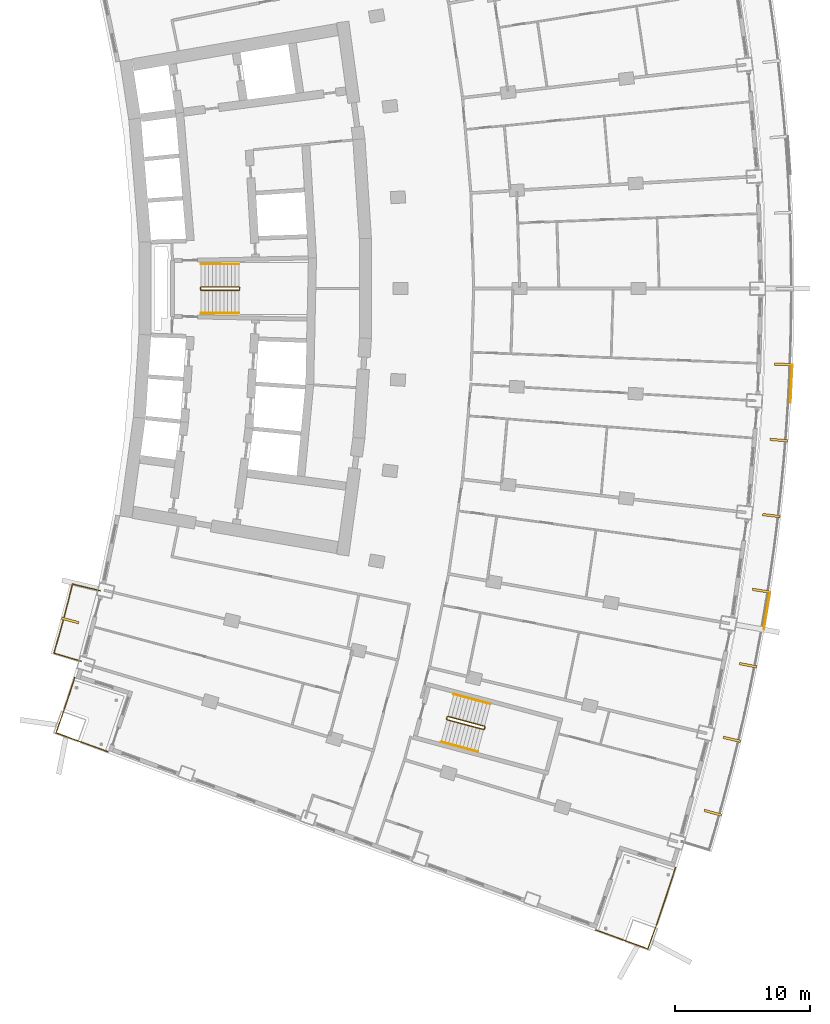
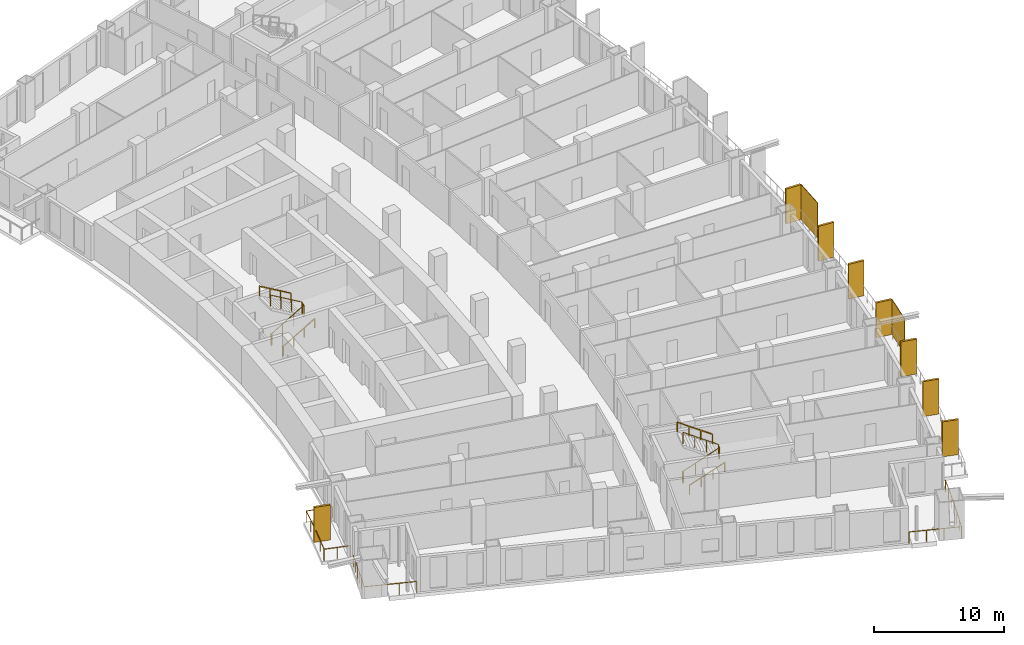
# One storey, part 21 of 23: 10 shading devices, 9 railings.
"""IFC4 building model written with IfcOpenShell, lengths in metres."""

from ifc_helpers import new_model, si_unit, direction, frame, origin, origin_with_axes, origin_2d, place, context, subcontext, project, spatial, rectangle, extrude, material, layer, layer_set, type_object, element, save


model = new_model("IFC4")

# Units and contexts
model_context = context("Model", 3, precision=1e-05, world=origin(), true_north=direction((0.0, 1.0)))
body_context = subcontext(model_context, "Body", "Model", "MODEL_VIEW")
ifc_project = project(units=[si_unit("LENGTHUNIT", "METRE"), si_unit("AREAUNIT", "SQUARE_METRE"), si_unit("VOLUMEUNIT", "CUBIC_METRE"), si_unit("PLANEANGLEUNIT", "RADIAN"), si_unit("MASSUNIT", "GRAM", prefix="KILO")], contexts=[model_context])

# Site, building, storey
site_placement = place(None, origin())
site = spatial("IfcSite", under=ifc_project, at=site_placement, CompositionType="ELEMENT")
building_placement = place(site_placement, origin())
building = spatial("IfcBuilding", under=site, at=building_placement, Name="Alderwake Tower", CompositionType="ELEMENT")
storey_placement = place(building_placement, frame((0.0, 0.0, 71.60009765625)))
storey = spatial("IfcBuildingStorey", under=building, at=storey_placement, Name="L17", CompositionType="ELEMENT", Elevation=71.60009765625)

# Railings
ifc_material_1 = material(Name="Stainless steel 316 rail and posts", Category="steel")
railing_type_1 = type_object("IfcRailingType", Name="Balcony guard 1100", PredefinedType="GUARDRAIL", material=ifc_material_1)
railing_1_placement = place(storey_placement, frame((12.16650390625, 33.435791015625, 0.0)))
element("IfcRailing", 1, at=railing_1_placement, inside=storey, type_object=railing_type_1, Name="Guard BR02", PredefinedType="GUARDRAIL", context=body_context, shape_type="SweptSolid", body=[
    extrude(rectangle(XDim=0.048095703125, YDim=0.048095703125, at=origin_2d()), frame((0.0, 0.0, 1.076171875), z_axis=(-0.958091458885, 0.286462486918, 0.0), x_axis=(-0.286462486918, -0.958091458885, 0.0)), (0.0, 0.0, 1.0), 2.099853515625),
    extrude(rectangle(XDim=0.048095703125, YDim=0.048095703125, at=origin_2d()), frame((-2.011962890625, 0.6015625, 1.076171875), z_axis=(0.279963157487, 0.960010744966, 0.0), x_axis=(-0.960010744966, 0.279963157487, 0.0)), (0.0, 0.0, 1.0), 1.272216796875),
    extrude(rectangle(XDim=0.048095703125, YDim=0.048095703125, at=origin_2d()), frame((-1.65576171875, 1.822998046875, 1.076171875), z_axis=(0.266487604617, 0.963838345671, 0.0), x_axis=(-0.963838345671, 0.266487604617, 0.0)), (0.0, 0.0, 1.0), 1.372314453125),
    extrude(rectangle(XDim=0.048095703125, YDim=0.048095703125, at=origin_2d()), frame((-1.2900390625, 3.145751953125, 1.076171875), z_axis=(0.252487086228, 0.967600264204, 0.0), x_axis=(-0.967600264204, 0.252487086228, 0.0)), (0.0, 0.0, 1.0), 1.3720703125),
    extrude(rectangle(XDim=0.048095703125, YDim=0.048095703125, at=origin_2d()), frame((-0.943603515625, 4.473388671875, 1.076171875), z_axis=(0.238877101641, 0.971049808358, 0.0), x_axis=(-0.971049808358, 0.238877101641, 0.0)), (0.0, 0.0, 1.0), 1.2724609375),
    extrude(rectangle(XDim=0.048095703125, YDim=0.048095703125, at=origin_2d()), frame((-0.6396484375, 5.708984375, 1.076171875), z_axis=(0.972646310656, -0.232291098337, 0.0), x_axis=(0.232291098337, 0.972646310656, 0.0)), (0.0, 0.0, 1.0), 2.099853515625),
    extrude(rectangle(XDim=0.0419921875, YDim=0.0419921875, at=origin_2d()), frame((0.0, 0.0, 0.0), z_axis=(0.0, 0.0, 1.0), x_axis=(-0.958091458885, 0.286462486918, 0.0)), (0.0, 0.0, 1.0), 1.052001953125),
    extrude(rectangle(XDim=0.0419921875, YDim=0.0419921875, at=origin_2d()), frame((-1.005859375, 0.30078125, 0.0), z_axis=(0.0, 0.0, 1.0), x_axis=(-0.958091458885, 0.286462486918, 0.0)), (0.0, 0.0, 1.0), 1.052001953125),
    extrude(rectangle(XDim=0.0419921875, YDim=0.0419921875, at=origin_2d()), frame((-2.011962890625, 0.6015625, 0.0), z_axis=(0.0, 0.0, 1.0), x_axis=(0.279963157487, 0.960010744966, 0.0)), (0.0, 0.0, 1.0), 1.052001953125),
    extrude(rectangle(XDim=0.0419921875, YDim=0.0419921875, at=origin_2d()), frame((-1.65576171875, 1.822998046875, 0.0), z_axis=(0.0, 0.0, 1.0), x_axis=(0.266487604617, 0.963838345671, 0.0)), (0.0, 0.0, 1.0), 1.052001953125),
    extrude(rectangle(XDim=0.0419921875, YDim=0.0419921875, at=origin_2d()), frame((-1.2900390625, 3.145751953125, 0.0), z_axis=(0.0, 0.0, 1.0), x_axis=(0.252487086228, 0.967600264204, 0.0)), (0.0, 0.0, 1.0), 1.052001953125),
    extrude(rectangle(XDim=0.0419921875, YDim=0.0419921875, at=origin_2d()), frame((-0.943603515625, 4.473388671875, 0.0), z_axis=(0.0, 0.0, 1.0), x_axis=(0.238877101641, 0.971049808358, 0.0)), (0.0, 0.0, 1.0), 1.052001953125),
    extrude(rectangle(XDim=0.0419921875, YDim=0.0419921875, at=origin_2d()), frame((-0.6396484375, 5.708984375, 0.0), z_axis=(0.0, 0.0, 1.0), x_axis=(0.972646310656, -0.232291098337, 0.0)), (0.0, 0.0, 1.0), 1.052001953125),
    extrude(rectangle(XDim=0.0419921875, YDim=0.0419921875, at=origin_2d()), frame((0.381591796875, 5.465087890625, 0.0), z_axis=(0.0, 0.0, 1.0), x_axis=(0.972646310656, -0.232291098337, 0.0)), (0.0, 0.0, 1.0), 1.052001953125),
    extrude(rectangle(XDim=0.0419921875, YDim=0.0419921875, at=origin_2d()), frame((1.40283203125, 5.22119140625, 0.0), z_axis=(0.0, 0.0, 1.0), x_axis=(0.972646310656, -0.232291098337, 0.0)), (0.0, 0.0, 1.0), 1.052001953125),
])
railing_2_placement = place(storey_placement, frame((56.12060546875, 18.168701171875, 0.0)))
element("IfcRailing", 2, at=railing_2_placement, inside=storey, type_object=railing_type_1, Name="Guard terrace FS", PredefinedType="GUARDRAIL", context=body_context, shape_type="SweptSolid", body=[
    extrude(rectangle(XDim=0.048095703125, YDim=0.048095703125, at=origin_2d()), frame((0.0, 0.0, 1.076171875), z_axis=(-0.307834534449, -0.951439908455, 0.0), x_axis=(0.951439908455, -0.307834534449, 0.0)), (0.0, 0.0, 1.0), 2.281005859375),
    extrude(rectangle(XDim=0.048095703125, YDim=0.048095703125, at=origin_2d()), frame((-0.7021484375, -2.170166015625, 1.076171875), z_axis=(-0.322274982341, -0.946646098475, 0.0), x_axis=(0.946646098475, -0.322274982341, 0.0)), (0.0, 0.0, 1.0), 2.0810546875),
    extrude(rectangle(XDim=0.048095703125, YDim=0.048095703125, at=origin_2d()), frame((-1.372802734375, -4.14013671875, 1.076171875), z_axis=(-0.335680571726, -0.941975877486, 0.0), x_axis=(0.941975877486, -0.335680571726, 0.0)), (0.0, 0.0, 1.0), 1.981201171875),
    extrude(rectangle(XDim=0.048095703125, YDim=0.048095703125, at=origin_2d()), frame((-2.037841796875, -6.00634765625, 1.076171875), z_axis=(-0.939605522223, 0.34225934992, 0.0), x_axis=(-0.34225934992, -0.939605522223, 0.0)), (0.0, 0.0, 1.0), 4.10009765625),
    extrude(rectangle(XDim=0.0419921875, YDim=0.0419921875, at=origin_2d()), frame((0.0, 0.0, 0.0), z_axis=(0.0, 0.0, 1.0), x_axis=(-0.307834534449, -0.951439908455, 0.0)), (0.0, 0.0, 1.0), 1.052001953125),
    extrude(rectangle(XDim=0.0419921875, YDim=0.0419921875, at=origin_2d()), frame((-0.35107421875, -1.0849609375, 0.0), z_axis=(0.0, 0.0, 1.0), x_axis=(-0.307834534449, -0.951439908455, 0.0)), (0.0, 0.0, 1.0), 1.052001953125),
    extrude(rectangle(XDim=0.0419921875, YDim=0.0419921875, at=origin_2d()), frame((-0.7021484375, -2.170166015625, 0.0), z_axis=(0.0, 0.0, 1.0), x_axis=(-0.322274982341, -0.946646098475, 0.0)), (0.0, 0.0, 1.0), 1.052001953125),
    extrude(rectangle(XDim=0.0419921875, YDim=0.0419921875, at=origin_2d()), frame((-1.03759765625, -3.1552734375, 0.0), z_axis=(0.0, 0.0, 1.0), x_axis=(-0.322274982341, -0.946646098475, 0.0)), (0.0, 0.0, 1.0), 1.052001953125),
    extrude(rectangle(XDim=0.0419921875, YDim=0.0419921875, at=origin_2d()), frame((-1.372802734375, -4.14013671875, 0.0), z_axis=(0.0, 0.0, 1.0), x_axis=(-0.335680571726, -0.941975877486, 0.0)), (0.0, 0.0, 1.0), 1.052001953125),
    extrude(rectangle(XDim=0.0419921875, YDim=0.0419921875, at=origin_2d()), frame((-1.705322265625, -5.0732421875, 0.0), z_axis=(0.0, 0.0, 1.0), x_axis=(-0.335680571726, -0.941975877486, 0.0)), (0.0, 0.0, 1.0), 1.052001953125),
    extrude(rectangle(XDim=0.0419921875, YDim=0.0419921875, at=origin_2d()), frame((-2.037841796875, -6.00634765625, 0.0), z_axis=(0.0, 0.0, 1.0), x_axis=(-0.939605522223, 0.34225934992, 0.0)), (0.0, 0.0, 1.0), 1.052001953125),
    extrude(rectangle(XDim=0.0419921875, YDim=0.0419921875, at=origin_2d()), frame((-3.322021484375, -5.53857421875, 0.0), z_axis=(0.0, 0.0, 1.0), x_axis=(-0.939605522223, 0.34225934992, 0.0)), (0.0, 0.0, 1.0), 1.052001953125),
    extrude(rectangle(XDim=0.0419921875, YDim=0.0419921875, at=origin_2d()), frame((-4.606201171875, -5.07080078125, 0.0), z_axis=(0.0, 0.0, 1.0), x_axis=(-0.939605522223, 0.34225934992, 0.0)), (0.0, 0.0, 1.0), 1.052001953125),
    extrude(rectangle(XDim=0.0419921875, YDim=0.0419921875, at=origin_2d()), frame((-5.890380859375, -4.60302734375, 0.0), z_axis=(0.0, 0.0, 1.0), x_axis=(-0.939605522223, 0.34225934992, 0.0)), (0.0, 0.0, 1.0), 1.052001953125),
])
railing_3_placement = place(storey_placement, frame((11.688720703125, 32.218017578125, 0.0)))
element("IfcRailing", 3, at=railing_3_placement, inside=storey, type_object=railing_type_1, Name="Guard terrace RS", PredefinedType="GUARDRAIL", context=body_context, shape_type="SweptSolid", body=[
    extrude(rectangle(XDim=0.048095703125, YDim=0.048095703125, at=origin_2d()), frame((0.0, 0.0, 1.076171875), z_axis=(-0.307479326145, -0.951554761426, 0.0), x_axis=(0.951554761426, -0.307479326145, 0.0)), (0.0, 0.0, 1.0), 1.6015625),
    extrude(rectangle(XDim=0.048095703125, YDim=0.048095703125, at=origin_2d()), frame((-0.492431640625, -1.52392578125, 1.076171875), z_axis=(-0.322283727344, -0.946643121292, 0.0), x_axis=(0.946643121292, -0.322283727344, 0.0)), (0.0, 0.0, 1.0), 1.4013671875),
    extrude(rectangle(XDim=0.048095703125, YDim=0.048095703125, at=origin_2d()), frame((-0.944091796875, -2.8505859375, 1.076171875), z_axis=(-0.335468607403, -0.942051385778, 0.0), x_axis=(0.942051385778, -0.335468607403, 0.0)), (0.0, 0.0, 1.0), 1.30126953125),
    extrude(rectangle(XDim=0.048095703125, YDim=0.048095703125, at=origin_2d()), frame((-1.380615234375, -4.076416015625, 1.076171875), z_axis=(0.939708203232, -0.341977327873, 0.0), x_axis=(0.341977327873, 0.939708203232, 0.0)), (0.0, 0.0, 1.0), 4.10009765625),
    extrude(rectangle(XDim=0.0419921875, YDim=0.0419921875, at=origin_2d()), frame((0.0, 0.0, 0.0), z_axis=(0.0, 0.0, 1.0), x_axis=(-0.307479326145, -0.951554761426, 0.0)), (0.0, 0.0, 1.0), 1.052001953125),
    extrude(rectangle(XDim=0.0419921875, YDim=0.0419921875, at=origin_2d()), frame((-0.24609375, -0.761962890625, 0.0), z_axis=(0.0, 0.0, 1.0), x_axis=(-0.307479326145, -0.951554761426, 0.0)), (0.0, 0.0, 1.0), 1.052001953125),
    extrude(rectangle(XDim=0.0419921875, YDim=0.0419921875, at=origin_2d()), frame((-0.492431640625, -1.52392578125, 0.0), z_axis=(0.0, 0.0, 1.0), x_axis=(-0.322283727344, -0.946643121292, 0.0)), (0.0, 0.0, 1.0), 1.052001953125),
    extrude(rectangle(XDim=0.0419921875, YDim=0.0419921875, at=origin_2d()), frame((-0.71826171875, -2.187255859375, 0.0), z_axis=(0.0, 0.0, 1.0), x_axis=(-0.322283727344, -0.946643121292, 0.0)), (0.0, 0.0, 1.0), 1.052001953125),
    extrude(rectangle(XDim=0.0419921875, YDim=0.0419921875, at=origin_2d()), frame((-0.944091796875, -2.8505859375, 0.0), z_axis=(0.0, 0.0, 1.0), x_axis=(-0.335468607403, -0.942051385778, 0.0)), (0.0, 0.0, 1.0), 1.052001953125),
    extrude(rectangle(XDim=0.0419921875, YDim=0.0419921875, at=origin_2d()), frame((-1.380615234375, -4.076416015625, 0.0), z_axis=(0.0, 0.0, 1.0), x_axis=(0.939708203232, -0.341977327873, 0.0)), (0.0, 0.0, 1.0), 1.052001953125),
    extrude(rectangle(XDim=0.0419921875, YDim=0.0419921875, at=origin_2d()), frame((-0.096435546875, -4.543701171875, 0.0), z_axis=(0.0, 0.0, 1.0), x_axis=(0.939708203232, -0.341977327873, 0.0)), (0.0, 0.0, 1.0), 1.052001953125),
    extrude(rectangle(XDim=0.0419921875, YDim=0.0419921875, at=origin_2d()), frame((1.18798828125, -5.01123046875, 0.0), z_axis=(0.0, 0.0, 1.0), x_axis=(0.939708203232, -0.341977327873, 0.0)), (0.0, 0.0, 1.0), 1.052001953125),
    extrude(rectangle(XDim=0.0419921875, YDim=0.0419921875, at=origin_2d()), frame((2.47216796875, -5.478515625, 0.0), z_axis=(0.0, 0.0, 1.0), x_axis=(0.939708203232, -0.341977327873, 0.0)), (0.0, 0.0, 1.0), 1.052001953125),
])

# Shading devices
ifc_material_2 = material(Name="Bronze anodised aluminium", Category="aluminium")
ifc_layer_1 = layer(ifc_material_2, 0.179931640625)
ifc_layer_set_1 = layer_set([ifc_layer_1], Name="Facade fin 1300")
shading_device_type_1 = type_object("IfcShadingDeviceType", Name="Facade fin 1300", PredefinedType="USERDEFINED", material=ifc_layer_set_1)
for number, where, z_axis, x_axis, name in (
    (4, (58.890869140625, 22.231689453125, 0.0), (0.0, 0.0, 1.0), (0.96318180783, -0.268850897459, 0.0), "Fin"),
    (5, (60.29345703125, 27.66259765625, 0.0), (0.0, 0.0, 1.0), (0.972908790564, -0.231189284448, 0.0), "Fin"),
    (6, (61.48388671875, 33.143798828125, 0.0), (0.0, 0.0, 1.0), (0.981163751315, -0.193177879441, 0.0), "Fin"),
    (7, (62.4580078125, 38.65283203125, 0.0), (0.0, 0.0, 1.0), (0.987918787879, -0.154972476771, 0.0), "Fin"),
    (8, (63.21923828125, 44.2099609375, 0.0), (0.0, 0.0, 1.0), (0.993198315083, -0.116434990084, 0.0), "Fin"),
    (9, (63.763916015625, 49.79248046875, 0.0), (0.0, 0.0, 1.0), (0.996975122026, -0.077721335943, 0.0), "Fin"),
    (10, (64.0908203125, 55.39208984375, 0.0), (0.0, 0.0, 1.0), (0.999243494356, -0.038890088543, 0.0), "Fin"),
    (11, (11.359375, 36.45166015625, 0.0), (0.0, 0.0, 1.0), (0.965744448231, -0.259495010957, 0.0), "Fin"),
):
    element("IfcShadingDevice", number, at=place(storey_placement, frame(where, z_axis=z_axis, x_axis=x_axis)), inside=storey, type_object=shading_device_type_1, Name=name, ObjectType="FIN", PredefinedType="USERDEFINED", context=body_context, shape_type="SweptSolid", body=[
        extrude(rectangle(XDim=1.300048828125, YDim=0.179931640625, at=origin_2d()), origin(), (0.0, 0.0, 1.0), 3.280029296875),
    ])
ifc_material_3 = material(Name="Perforated bronze anodised aluminium", Category="aluminium")
ifc_layer_2 = layer(ifc_material_3, 0.050048828125)
ifc_layer_set_2 = layer_set([ifc_layer_2], Name="Perforated screen panel")
shading_device_type_2 = type_object("IfcShadingDeviceType", Name="Perforated screen panel", PredefinedType="USERDEFINED", material=ifc_layer_set_2)
for number, where, z_axis, x_axis, name in (
    (12, (62.8935546875, 37.162109375, 0.0), (0.0, 0.0, 1.0), (0.986369013299, -0.164548380739, 0.0), "Screen panel"),
    (13, (64.697021484375, 53.962158203125, 0.0), (0.0, 0.0, 1.0), (0.998819231138, -0.048581308217, 0.0), "Screen panel"),
):
    element("IfcShadingDevice", number, at=place(storey_placement, frame(where, z_axis=z_axis, x_axis=x_axis)), inside=storey, type_object=shading_device_type_2, Name=name, ObjectType="SCREEN", PredefinedType="USERDEFINED", context=body_context, shape_type="SweptSolid", body=[
        extrude(rectangle(XDim=0.050048828125, YDim=2.810546875, at=origin_2d()), origin(), (0.0, 0.0, 1.0), 3.280029296875),
    ])

# Railings
ifc_material_4 = material(Name="Stainless steel guard", Category="steel")
railing_type_2 = type_object("IfcRailingType", Name="Stair guard 1100", PredefinedType="GUARDRAIL", material=ifc_material_4)
railing_4_placement = place(storey_placement, frame((20.989990234375, 60.925048828125, 0.0)))
element("IfcRailing", 14, at=railing_4_placement, inside=storey, type_object=railing_type_2, Name="L17 ST-B stair guard 1", PredefinedType="GUARDRAIL", context=body_context, shape_type="SweptSolid", body=[
    extrude(rectangle(XDim=0.048095703125, YDim=0.048095703125, at=origin_2d()), frame((0.0, 0.0, 1.076171875), z_axis=(0.0, 1.0, 0.0), x_axis=(-1.0, 0.0, 0.0)), (0.0, 0.0, 1.0), 0.14990234375),
    extrude(rectangle(XDim=0.048095703125, YDim=0.048095703125, at=origin_2d()), frame((0.0, 0.14990234375, 1.076171875), z_axis=(0.190199549216, -0.759870394187, 0.621627795), x_axis=(0.970072785993, 0.242814311512, 0.0)), (0.0, 0.0, 1.0), 0.26318359375),
    extrude(rectangle(XDim=0.048095703125, YDim=0.048095703125, at=origin_2d()), frame((0.050048828125, -0.050048828125, 1.23974609375), z_axis=(0.863393664356, 0.0, 0.504530851732), x_axis=(0.0, 1.0, 0.0)), (0.0, 0.0, 1.0), 3.2431640625),
    extrude(rectangle(XDim=0.048095703125, YDim=0.048095703125, at=origin_2d()), frame((2.85009765625, -0.050048828125, 2.8759765625), z_axis=(0.705375805398, 0.708833529934, 0.0), x_axis=(-0.708833529934, 0.705375805398, 0.0)), (0.0, 0.0, 1.0), 0.070556640625),
    extrude(rectangle(XDim=0.048095703125, YDim=0.048095703125, at=origin_2d()), frame((2.89990234375, 0.0, 2.8759765625), z_axis=(0.0, 1.0, 0.0), x_axis=(-1.0, 0.0, 0.0)), (0.0, 0.0, 1.0), 0.14990234375),
    extrude(rectangle(XDim=0.048095703125, YDim=0.048095703125, at=origin_2d()), frame((2.89990234375, 0.14990234375, 2.8759765625), z_axis=(-0.279194930351, 0.280563532951, 0.91833234444), x_axis=(-0.708833529934, -0.705375805398, 0.0)), (0.0, 0.0, 1.0), 0.178466796875),
    extrude(rectangle(XDim=0.048095703125, YDim=0.048095703125, at=origin_2d()), frame((2.85009765625, 0.199951171875, 3.03955078125), z_axis=(-0.863393664356, 0.0, 0.504530851732), x_axis=(0.0, -1.0, 0.0)), (0.0, 0.0, 1.0), 3.2431640625),
    extrude(rectangle(XDim=0.0419921875, YDim=0.0419921875, at=origin_2d()), frame((0.0, 0.0, 0.0), z_axis=(0.0, 0.0, 1.0), x_axis=(0.0, 1.0, 0.0)), (0.0, 0.0, 1.0), 1.052001953125),
    extrude(rectangle(XDim=0.0419921875, YDim=0.0419921875, at=origin_2d()), frame((0.0, 0.14990234375, 0.0), z_axis=(0.0, 0.0, 1.0), x_axis=(0.242814311512, -0.970072785993, 0.0)), (0.0, 0.0, 1.0), 1.052001953125),
    extrude(rectangle(XDim=0.0419921875, YDim=0.0419921875, at=origin_2d()), frame((0.050048828125, -0.050048828125, 0.16357421875), z_axis=(0.0, 0.0, 1.0), x_axis=(1.0, 0.0, 0.0)), (0.0, 0.0, 1.0), 1.052001953125),
    extrude(rectangle(XDim=0.0419921875, YDim=0.0419921875, at=origin_2d()), frame((0.9833984375, -0.050048828125, 0.708984375), z_axis=(0.0, 0.0, 1.0), x_axis=(1.0, 0.0, 0.0)), (0.0, 0.0, 1.0), 1.052001953125),
    extrude(rectangle(XDim=0.0419921875, YDim=0.0419921875, at=origin_2d()), frame((1.916748046875, -0.050048828125, 1.25439453125), z_axis=(0.0, 0.0, 1.0), x_axis=(1.0, 0.0, 0.0)), (0.0, 0.0, 1.0), 1.052001953125),
    extrude(rectangle(XDim=0.0419921875, YDim=0.0419921875, at=origin_2d()), frame((2.85009765625, -0.050048828125, 1.7998046875), z_axis=(0.0, 0.0, 1.0), x_axis=(0.705375805398, 0.708833529934, 0.0)), (0.0, 0.0, 1.0), 1.052001953125),
    extrude(rectangle(XDim=0.0419921875, YDim=0.0419921875, at=origin_2d()), frame((2.89990234375, 0.0, 1.7998046875), z_axis=(0.0, 0.0, 1.0), x_axis=(0.0, 1.0, 0.0)), (0.0, 0.0, 1.0), 1.052001953125),
    extrude(rectangle(XDim=0.0419921875, YDim=0.0419921875, at=origin_2d()), frame((2.89990234375, 0.14990234375, 1.7998046875), z_axis=(0.0, 0.0, 1.0), x_axis=(-0.705375805398, 0.708833529934, 0.0)), (0.0, 0.0, 1.0), 1.052001953125),
    extrude(rectangle(XDim=0.0419921875, YDim=0.0419921875, at=origin_2d()), frame((2.85009765625, 0.199951171875, 1.963623046875), z_axis=(0.0, 0.0, 1.0), x_axis=(-1.0, 0.0, 0.0)), (0.0, 0.0, 1.0), 1.052001953125),
    extrude(rectangle(XDim=0.0419921875, YDim=0.0419921875, at=origin_2d()), frame((1.916748046875, 0.199951171875, 2.509033203125), z_axis=(0.0, 0.0, 1.0), x_axis=(-1.0, 0.0, 0.0)), (0.0, 0.0, 1.0), 1.052001953125),
    extrude(rectangle(XDim=0.0419921875, YDim=0.0419921875, at=origin_2d()), frame((0.9833984375, 0.199951171875, 3.054443359375), z_axis=(0.0, 0.0, 1.0), x_axis=(-1.0, 0.0, 0.0)), (0.0, 0.0, 1.0), 1.052001953125),
    extrude(rectangle(XDim=0.0419921875, YDim=0.0419921875, at=origin_2d()), frame((0.050048828125, 0.199951171875, 3.599853515625), z_axis=(0.0, 0.0, 1.0), x_axis=(-1.0, 0.0, 0.0)), (0.0, 0.0, 1.0), 1.052001953125),
])
railing_5_placement = place(storey_placement, frame((39.1943359375, 29.17431640625, 0.0)))
element("IfcRailing", 15, at=railing_5_placement, inside=storey, type_object=railing_type_2, Name="L17 ST-C stair guard 1", PredefinedType="GUARDRAIL", context=body_context, shape_type="SweptSolid", body=[
    extrude(rectangle(XDim=0.048095703125, YDim=0.048095703125, at=origin_2d()), frame((0.0, 0.0, 1.076171875), z_axis=(0.257459803502, 0.966289009345, 0.0), x_axis=(-0.966289009345, 0.257459803502, 0.0)), (0.0, 0.0, 1.0), 0.14990234375),
    extrude(rectangle(XDim=0.048095703125, YDim=0.048095703125, at=origin_2d()), frame((0.03857421875, 0.144775390625, 1.076171875), z_axis=(-0.012062893862, -0.783160186125, 0.621702991355), x_axis=(0.999881397308, -0.015401016783, 0.0)), (0.0, 0.0, 1.0), 0.26318359375),
    extrude(rectangle(XDim=0.048095703125, YDim=0.048095703125, at=origin_2d()), frame((0.035400390625, -0.061279296875, 1.23974609375), z_axis=(0.834313512087, -0.222222637163, 0.504517653885), x_axis=(0.257380452725, 0.966310148221, 0.0)), (0.0, 0.0, 1.0), 3.2431640625),
    extrude(rectangle(XDim=0.048095703125, YDim=0.048095703125, at=origin_2d()), frame((2.7412109375, -0.781982421875, 2.8759765625), z_axis=(0.865031189262, 0.501718089772, 0.0), x_axis=(-0.501718089772, 0.865031189262, 0.0)), (0.0, 0.0, 1.0), 0.070556640625),
    extrude(rectangle(XDim=0.048095703125, YDim=0.048095703125, at=origin_2d()), frame((2.80224609375, -0.74658203125, 2.8759765625), z_axis=(0.257055032184, 0.966396766566, 0.0), x_axis=(-0.966396766566, 0.257055032184, 0.0)), (0.0, 0.0, 1.0), 0.150146484375),
    extrude(rectangle(XDim=0.048095703125, YDim=0.048095703125, at=origin_2d()), frame((2.8408203125, -0.6015625, 2.8759765625), z_axis=(-0.198375862152, 0.343395457933, 0.918001403477), x_axis=(-0.865898279276, -0.500220121494, 0.0)), (0.0, 0.0, 1.0), 0.178466796875),
    extrude(rectangle(XDim=0.048095703125, YDim=0.048095703125, at=origin_2d()), frame((2.805419921875, -0.540283203125, 3.03955078125), z_axis=(-0.834290631165, 0.222236594766, 0.504549342183), x_axis=(-0.257402139082, -0.966304371715, 0.0)), (0.0, 0.0, 1.0), 3.242919921875),
    extrude(rectangle(XDim=0.0419921875, YDim=0.0419921875, at=origin_2d()), frame((0.0, 0.0, 0.0), z_axis=(0.0, 0.0, 1.0), x_axis=(0.257459803502, 0.966289009345, 0.0)), (0.0, 0.0, 1.0), 1.052001953125),
    extrude(rectangle(XDim=0.0419921875, YDim=0.0419921875, at=origin_2d()), frame((0.03857421875, 0.144775390625, 0.0), z_axis=(0.0, 0.0, 1.0), x_axis=(-0.015401016783, -0.999881397308, 0.0)), (0.0, 0.0, 1.0), 1.052001953125),
    extrude(rectangle(XDim=0.0419921875, YDim=0.0419921875, at=origin_2d()), frame((0.035400390625, -0.061279296875, 0.16357421875), z_axis=(0.0, 0.0, 1.0), x_axis=(0.966310148221, -0.257380452725, 0.0)), (0.0, 0.0, 1.0), 1.052001953125),
    extrude(rectangle(XDim=0.0419921875, YDim=0.0419921875, at=origin_2d()), frame((0.937255859375, -0.301513671875, 0.708984375), z_axis=(0.0, 0.0, 1.0), x_axis=(0.966310148221, -0.257380452725, 0.0)), (0.0, 0.0, 1.0), 1.052001953125),
    extrude(rectangle(XDim=0.0419921875, YDim=0.0419921875, at=origin_2d()), frame((1.83935546875, -0.541748046875, 1.25439453125), z_axis=(0.0, 0.0, 1.0), x_axis=(0.966310148221, -0.257380452725, 0.0)), (0.0, 0.0, 1.0), 1.052001953125),
    extrude(rectangle(XDim=0.0419921875, YDim=0.0419921875, at=origin_2d()), frame((2.7412109375, -0.781982421875, 1.7998046875), z_axis=(0.0, 0.0, 1.0), x_axis=(0.865031189262, 0.501718089772, 0.0)), (0.0, 0.0, 1.0), 1.052001953125),
    extrude(rectangle(XDim=0.0419921875, YDim=0.0419921875, at=origin_2d()), frame((2.80224609375, -0.74658203125, 1.7998046875), z_axis=(0.0, 0.0, 1.0), x_axis=(0.257055032184, 0.966396766566, 0.0)), (0.0, 0.0, 1.0), 1.052001953125),
    extrude(rectangle(XDim=0.0419921875, YDim=0.0419921875, at=origin_2d()), frame((2.8408203125, -0.6015625, 1.7998046875), z_axis=(0.0, 0.0, 1.0), x_axis=(-0.500220121494, 0.865898279276, 0.0)), (0.0, 0.0, 1.0), 1.052001953125),
    extrude(rectangle(XDim=0.0419921875, YDim=0.0419921875, at=origin_2d()), frame((2.805419921875, -0.540283203125, 1.963623046875), z_axis=(0.0, 0.0, 1.0), x_axis=(-0.966304371715, 0.257402139082, 0.0)), (0.0, 0.0, 1.0), 1.052001953125),
    extrude(rectangle(XDim=0.0419921875, YDim=0.0419921875, at=origin_2d()), frame((1.903564453125, -0.300048828125, 2.509033203125), z_axis=(0.0, 0.0, 1.0), x_axis=(-0.966304371715, 0.257402139082, 0.0)), (0.0, 0.0, 1.0), 1.052001953125),
    extrude(rectangle(XDim=0.0419921875, YDim=0.0419921875, at=origin_2d()), frame((1.001708984375, -0.059814453125, 3.054443359375), z_axis=(0.0, 0.0, 1.0), x_axis=(-0.966304371715, 0.257402139082, 0.0)), (0.0, 0.0, 1.0), 1.052001953125),
    extrude(rectangle(XDim=0.0419921875, YDim=0.0419921875, at=origin_2d()), frame((0.099853515625, 0.180419921875, 3.599853515625), z_axis=(0.0, 0.0, 1.0), x_axis=(-0.966304371715, 0.257402139082, 0.0)), (0.0, 0.0, 1.0), 1.052001953125),
])
ifc_material_5 = material(Name="Stainless steel handrail", Category="steel")
railing_type_3 = type_object("IfcRailingType", Name="Stair handrail 900", PredefinedType="HANDRAIL", material=ifc_material_5)
railing_6_placement = place(storey_placement, frame((21.0400390625, 59.175048828125, 0.16357421875)))
element("IfcRailing", 16, at=railing_6_placement, inside=storey, type_object=railing_type_3, Name="L17 ST-B stair handrail 1", PredefinedType="HANDRAIL", context=body_context, shape_type="SweptSolid", body=[
    extrude(rectangle(XDim=0.048095703125, YDim=0.048095703125, at=origin_2d()), frame((0.0, 0.0, 0.8759765625), z_axis=(0.863393664356, 0.0, 0.504530851732), x_axis=(0.0, 1.0, 0.0)), (0.0, 0.0, 1.0), 3.2431640625),
    extrude(rectangle(XDim=0.0419921875, YDim=0.0419921875, at=origin_2d()), origin_with_axes(), (0.0, 0.0, 1.0), 0.851806640625),
    extrude(rectangle(XDim=0.0419921875, YDim=0.0419921875, at=origin_2d()), frame((0.933349609375, 0.0, 0.54541015625), z_axis=(0.0, 0.0, 1.0), x_axis=(1.0, 0.0, 0.0)), (0.0, 0.0, 1.0), 0.851806640625),
    extrude(rectangle(XDim=0.0419921875, YDim=0.0419921875, at=origin_2d()), frame((1.86669921875, 0.0, 1.0908203125), z_axis=(0.0, 0.0, 1.0), x_axis=(1.0, 0.0, 0.0)), (0.0, 0.0, 1.0), 0.851806640625),
    extrude(rectangle(XDim=0.0419921875, YDim=0.0419921875, at=origin_2d()), frame((2.800048828125, 0.0, 1.63623046875), z_axis=(0.0, 0.0, 1.0), x_axis=(1.0, 0.0, 0.0)), (0.0, 0.0, 1.0), 0.851806640625),
])
railing_7_placement = place(storey_placement, frame((23.840087890625, 62.824951171875, 1.963623046875)))
element("IfcRailing", 17, at=railing_7_placement, inside=storey, type_object=railing_type_3, Name="L17 ST-B stair handrail 2", PredefinedType="HANDRAIL", context=body_context, shape_type="SweptSolid", body=[
    extrude(rectangle(XDim=0.048095703125, YDim=0.048095703125, at=origin_2d()), frame((0.0, 0.0, 0.8759765625), z_axis=(-0.863393664356, 0.0, 0.504530851732), x_axis=(0.0, -1.0, 0.0)), (0.0, 0.0, 1.0), 3.2431640625),
    extrude(rectangle(XDim=0.0419921875, YDim=0.0419921875, at=origin_2d()), frame((0.0, 0.0, 0.0), z_axis=(0.0, 0.0, 1.0), x_axis=(-1.0, 0.0, 0.0)), (0.0, 0.0, 1.0), 0.851806640625),
    extrude(rectangle(XDim=0.0419921875, YDim=0.0419921875, at=origin_2d()), frame((-0.933349609375, 0.0, 0.54541015625), z_axis=(0.0, 0.0, 1.0), x_axis=(-1.0, 0.0, 0.0)), (0.0, 0.0, 1.0), 0.851806640625),
    extrude(rectangle(XDim=0.0419921875, YDim=0.0419921875, at=origin_2d()), frame((-1.86669921875, 0.0, 1.0908203125), z_axis=(0.0, 0.0, 1.0), x_axis=(-1.0, 0.0, 0.0)), (0.0, 0.0, 1.0), 0.851806640625),
    extrude(rectangle(XDim=0.0419921875, YDim=0.0419921875, at=origin_2d()), frame((-2.800048828125, 0.0, 1.63623046875), z_axis=(0.0, 0.0, 1.0), x_axis=(-1.0, 0.0, 0.0)), (0.0, 0.0, 1.0), 0.851806640625),
])
railing_8_placement = place(storey_placement, frame((38.792236328125, 27.47021484375, 0.16357421875)))
element("IfcRailing", 18, at=railing_8_placement, inside=storey, type_object=railing_type_3, Name="L17 ST-C stair handrail 1", PredefinedType="HANDRAIL", context=body_context, shape_type="SweptSolid", body=[
    extrude(rectangle(XDim=0.048095703125, YDim=0.048095703125, at=origin_2d()), frame((0.0, 0.0, 0.8759765625), z_axis=(0.834304587439, -0.222165027751, 0.504557782442), x_axis=(0.25732071773, 0.966326056891, 0.0)), (0.0, 0.0, 1.0), 3.242919921875),
    extrude(rectangle(XDim=0.0419921875, YDim=0.0419921875, at=origin_2d()), frame((0.0, 0.0, 0.0), z_axis=(0.0, 0.0, 1.0), x_axis=(0.966326056891, -0.25732071773, 0.0)), (0.0, 0.0, 1.0), 0.851806640625),
    extrude(rectangle(XDim=0.0419921875, YDim=0.0419921875, at=origin_2d()), frame((0.90185546875, -0.240234375, 0.54541015625), z_axis=(0.0, 0.0, 1.0), x_axis=(0.966326056891, -0.25732071773, 0.0)), (0.0, 0.0, 1.0), 0.851806640625),
    extrude(rectangle(XDim=0.0419921875, YDim=0.0419921875, at=origin_2d()), frame((1.8037109375, -0.480224609375, 1.0908203125), z_axis=(0.0, 0.0, 1.0), x_axis=(0.966326056891, -0.25732071773, 0.0)), (0.0, 0.0, 1.0), 0.851806640625),
    extrude(rectangle(XDim=0.0419921875, YDim=0.0419921875, at=origin_2d()), frame((2.70556640625, -0.720458984375, 1.63623046875), z_axis=(0.0, 0.0, 1.0), x_axis=(0.966326056891, -0.25732071773, 0.0)), (0.0, 0.0, 1.0), 0.851806640625),
])
railing_9_placement = place(storey_placement, frame((42.437255859375, 30.276611328125, 1.963623046875)))
element("IfcRailing", 19, at=railing_9_placement, inside=storey, type_object=railing_type_3, Name="L17 ST-C stair handrail 2", PredefinedType="HANDRAIL", context=body_context, shape_type="SweptSolid", body=[
    extrude(rectangle(XDim=0.048095703125, YDim=0.048095703125, at=origin_2d()), frame((0.0, 0.0, 0.8759765625), z_axis=(-0.834290631165, 0.222236594766, 0.504549342183), x_axis=(-0.257402139082, -0.966304371715, 0.0)), (0.0, 0.0, 1.0), 3.242919921875),
    extrude(rectangle(XDim=0.0419921875, YDim=0.0419921875, at=origin_2d()), frame((0.0, 0.0, 0.0), z_axis=(0.0, 0.0, 1.0), x_axis=(-0.966304371715, 0.257402139082, 0.0)), (0.0, 0.0, 1.0), 0.851806640625),
    extrude(rectangle(XDim=0.0419921875, YDim=0.0419921875, at=origin_2d()), frame((-0.90185546875, 0.240234375, 0.54541015625), z_axis=(0.0, 0.0, 1.0), x_axis=(-0.966304371715, 0.257402139082, 0.0)), (0.0, 0.0, 1.0), 0.851806640625),
    extrude(rectangle(XDim=0.0419921875, YDim=0.0419921875, at=origin_2d()), frame((-1.8037109375, 0.48046875, 1.0908203125), z_axis=(0.0, 0.0, 1.0), x_axis=(-0.966304371715, 0.257402139082, 0.0)), (0.0, 0.0, 1.0), 0.851806640625),
    extrude(rectangle(XDim=0.0419921875, YDim=0.0419921875, at=origin_2d()), frame((-2.70556640625, 0.720703125, 1.63623046875), z_axis=(0.0, 0.0, 1.0), x_axis=(-0.966304371715, 0.257402139082, 0.0)), (0.0, 0.0, 1.0), 0.851806640625),
])

save(model, "model.ifc")
